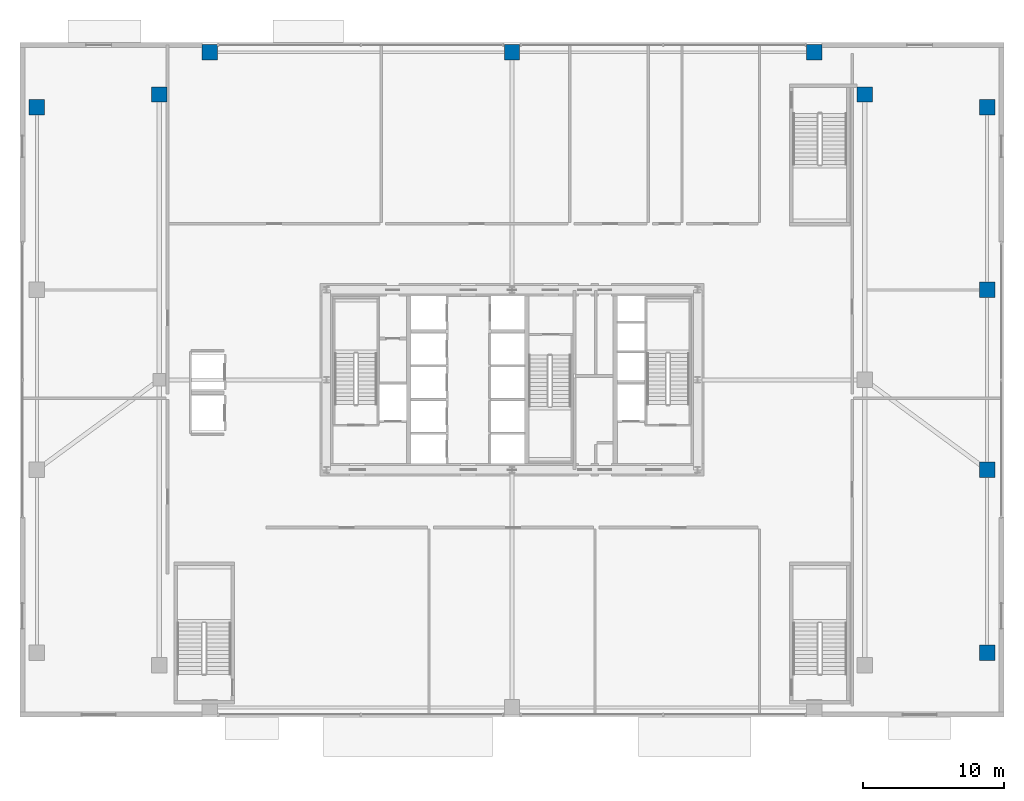
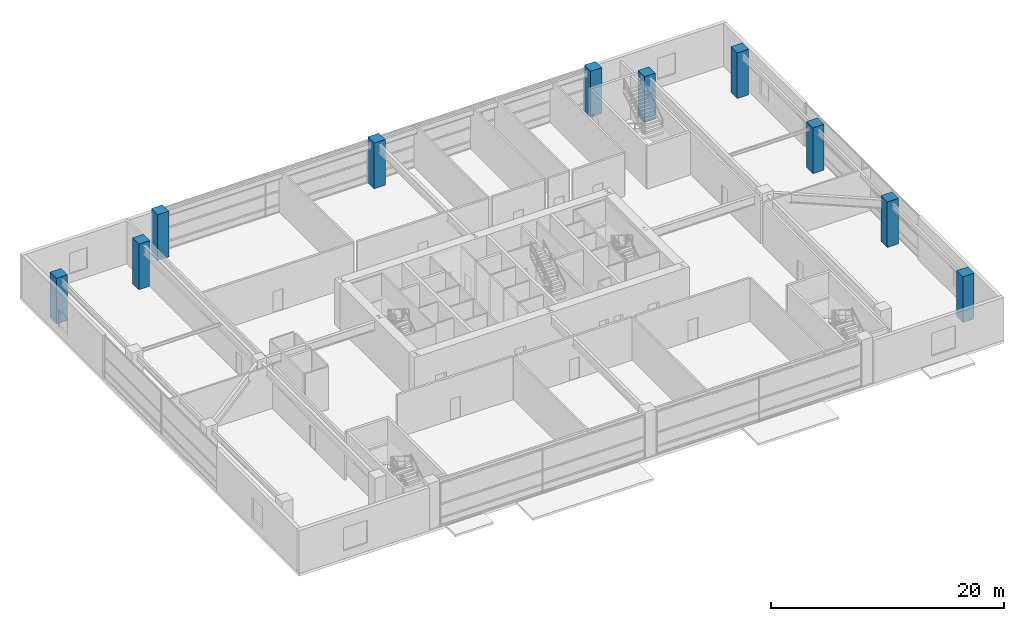
# One storey, part 3 of 37: 10 columns.
"""IFC4 building model written with IfcOpenShell, lengths in metres."""

from ifc_helpers import new_model, si_unit, direction, frame, origin, origin_2d, place, context, subcontext, project, spatial, rectangle, extrude, source, transform, mapped, material, material_profile, profile_set, type_object, element, save


model = new_model("IFC4")

# Units and contexts
model_context = context("Model", 3, precision=1e-05, world=origin(), true_north=direction((0.0, 1.0)))
body_context = subcontext(model_context, "Body", "Model", "MODEL_VIEW")
ifc_project = project(units=[si_unit("LENGTHUNIT", "METRE"), si_unit("AREAUNIT", "SQUARE_METRE"), si_unit("VOLUMEUNIT", "CUBIC_METRE"), si_unit("PLANEANGLEUNIT", "RADIAN"), si_unit("MASSUNIT", "GRAM", prefix="KILO"), si_unit("THERMODYNAMICTEMPERATUREUNIT", "KELVIN"), si_unit("POWERUNIT", "WATT")], contexts=[model_context])

# Site, building, storey
site_placement = place(None, origin())
site = spatial("IfcSite", under=ifc_project, at=site_placement, CompositionType="ELEMENT")
building_placement = place(site_placement, origin())
building = spatial("IfcBuilding", under=site, at=building_placement, Name="Yuzanri Waterfront Tower", CompositionType="ELEMENT")
storey_placement = place(building_placement, frame((0.0, 0.0, 5.39990234375)))
storey = spatial("IfcBuildingStorey", under=building, at=storey_placement, Name="L02", CompositionType="ELEMENT", Elevation=5.39990234375)

# Columns
ifc_material = material(Name="Concrete C50", Category="concrete")
ifc_material_profile = material_profile(ifc_material, rectangle(XDim=1.10009765625, YDim=1.10009765625, at=origin_2d()), Name="RC 1100x1100")
ifc_profile_set = profile_set([ifc_material_profile], Name="Concrete C50")
column_type = type_object("IfcColumnType", Name="Podium RC Column C50 1100x1100", PredefinedType="COLUMN", material=ifc_profile_set)
shared_shape = source(origin(), body_context, "Body", "SweptSolid", [
    extrude(rectangle(XDim=1.10009765625, YDim=1.10009765625, at=origin_2d()), origin(), (0.0, 0.0, 1.0), 4.800048828125),
])
for number, where, z_axis, x_axis, name in (
    (1, (3.199951171875, 45.199951171875, 0.0), (0.0, 0.0, 1.0), (1.0, 0.0, 0.0), "L02 Podium Column PW4"),
    (2, (70.800048828125, 6.39990234375, 0.0), (0.0, 0.0, 1.0), (1.0, 0.0, 0.0), "L02 Podium Column PE1"),
    (3, (70.800048828125, 19.39990234375, 0.0), (0.0, 0.0, 1.0), (1.0, 0.0, 0.0), "L02 Podium Column PE2"),
    (4, (70.800048828125, 32.199951171875, 0.0), (0.0, 0.0, 1.0), (1.0, 0.0, 0.0), "L02 Podium Column PE3"),
    (5, (70.800048828125, 45.199951171875, 0.0), (0.0, 0.0, 1.0), (1.0, 0.0, 0.0), "L02 Podium Column PE4"),
    (6, (11.89990234375, 46.10009765625, 0.0), (0.0, 0.0, 1.0), (1.0, 0.0, 0.0), "L02 Podium Column PTW3"),
    (7, (62.10009765625, 46.10009765625, 0.0), (0.0, 0.0, 1.0), (1.0, 0.0, 0.0), "L02 Podium Column PTE3"),
    (8, (15.5, 49.10009765625, 0.0), (0.0, 0.0, 1.0), (1.0, 0.0, 0.0), "L02 Podium Column PTN1"),
    (9, (37.0, 49.10009765625, 0.0), (0.0, 0.0, 1.0), (1.0, 0.0, 0.0), "L02 Podium Column PTN2"),
    (10, (58.5, 49.10009765625, 0.0), (0.0, 0.0, 1.0), (1.0, 0.0, 0.0), "L02 Podium Column PTN3"),
):
    element("IfcColumn", number, at=place(storey_placement, frame(where, z_axis=z_axis, x_axis=x_axis)), inside=storey, type_object=column_type, Name=name, PredefinedType="COLUMN", context=body_context, shape_type="MappedRepresentation", body=[
        mapped(shared_shape, transform((0.0, 0.0, 0.0), scale=1.0)),
    ])

save(model, "model.ifc")
